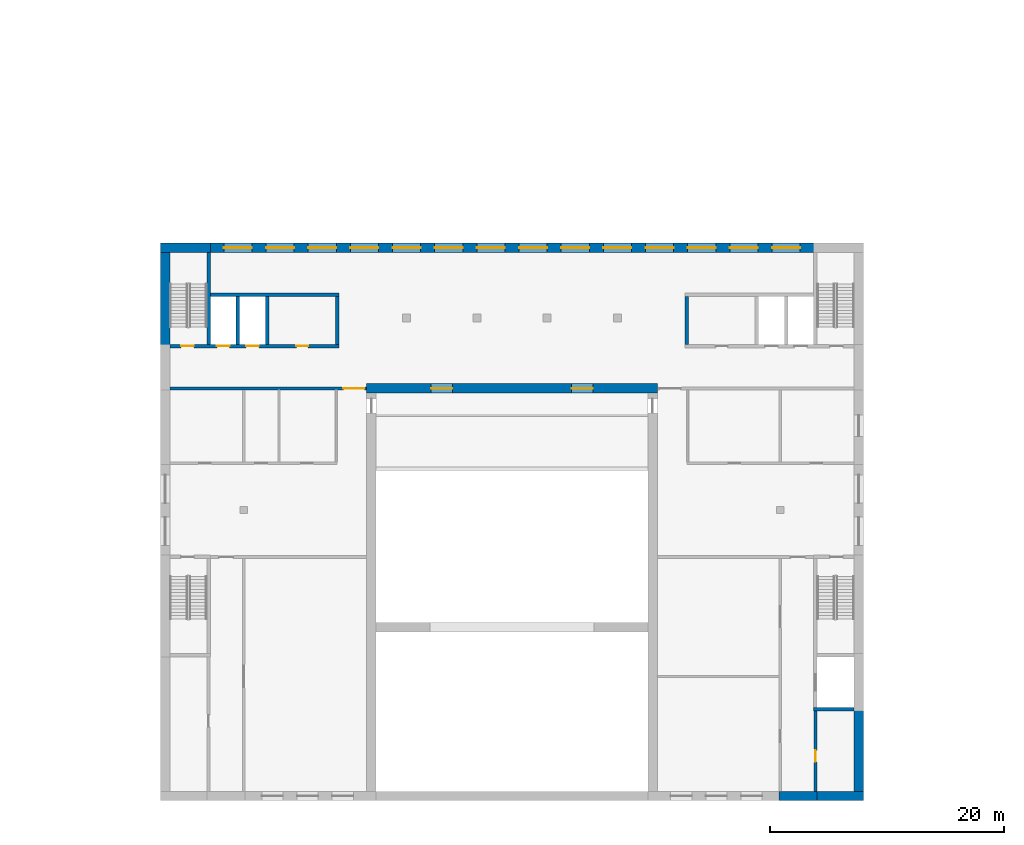
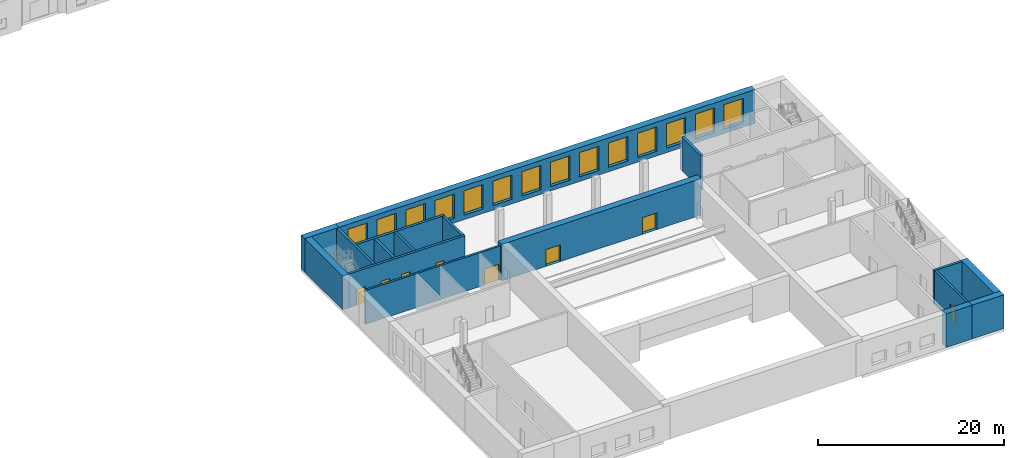
# One storey, part 5 of 27: 17 walls, 14 windows, 8 doors, 22 openings.
"""IFC4 building model written with IfcOpenShell, lengths in metres."""

import ifcopenshell
import ifcopenshell.guid

model = None  # the IFC model being written
_history = None  # IfcOwnerHistory: only IFC2X3 demands one
_inside = {}  # id of a spatial element -> (the spatial element, [elements in it])
_under = {}  # id of a project, library or spatial element -> (it, [spatial elements below it])
_declared = {}  # id of a project -> (the project, [libraries it declares])
_typed = {}  # id of a type object -> (the type object, [elements of that type])
_made_of = {}  # id of a material, layer set ... -> (it, [elements and type objects made of it])


def new_model(schema):
    """Start an empty IFC model of exactly this schema.

    Asked for "IFC4X3", IfcOpenShell would pick the latest addendum, in which some entities
    have other attributes; the version numbers below select the first issue.
    IFC2X3 requires an IfcOwnerHistory on every rooted entity: one is made here for all.
    """
    global model, _history
    if schema == "IFC4X3":
        model = ifcopenshell.file(schema_version=(4, 3, 0, 0))
    else:
        model = ifcopenshell.file(schema=schema)
    _inside.clear()
    _under.clear()
    _declared.clear()
    _typed.clear()
    _made_of.clear()
    _history = None
    if model.schema == "IFC2X3":
        org = make("IfcOrganization", Name="unknown")
        user = make(
            "IfcPersonAndOrganization",
            ThePerson=make("IfcPerson", FamilyName="unknown"),
            TheOrganization=org,
        )
        app = make(
            "IfcApplication",
            ApplicationDeveloper=org,
            Version="unknown",
            ApplicationFullName="unknown",
            ApplicationIdentifier="unknown",
        )
        _history = make(
            "IfcOwnerHistory",
            OwningUser=user,
            OwningApplication=app,
            ChangeAction="ADDED",
            CreationDate=0,
        )
    return model


def make(cls, **values):
    """One entity of the class cls with the attributes given. An attribute that is None is left unset."""
    return model.create_entity(
        cls, **{name: value for name, value in values.items() if value is not None}
    )


def rooted(cls, **values):
    """An entity with a GlobalId (a new one), such as an element, a storey or a relation."""
    return make(cls, GlobalId=ifcopenshell.guid.new(), OwnerHistory=_history, **values)


def si_unit(unit_type, name, prefix=None):
    """IfcSIUnit, for example si_unit("LENGTHUNIT", "METRE", prefix="MILLI")."""
    return make("IfcSIUnit", UnitType=unit_type, Prefix=prefix, Name=name)


def assignment(units):
    """IfcUnitAssignment: the units of a project."""
    return None if units is None else make("IfcUnitAssignment", Units=units)


def point(xyz):
    """IfcCartesianPoint."""
    return None if xyz is None else make("IfcCartesianPoint", Coordinates=xyz)


def direction(xyz):
    """IfcDirection."""
    return None if xyz is None else make("IfcDirection", DirectionRatios=xyz)


def frame(location, z_axis=None, x_axis=None):
    """IfcAxis2Placement3D, a coordinate frame: its origin and axes. An axis left out is left unset."""
    return make(
        "IfcAxis2Placement3D",
        Location=point(location),
        Axis=direction(z_axis),
        RefDirection=direction(x_axis),
    )


def frame_2d(location, x_axis=None):
    """IfcAxis2Placement2D, a coordinate frame in the plane: its origin and x axis."""
    return make(
        "IfcAxis2Placement2D", Location=point(location), RefDirection=direction(x_axis)
    )


def origin():
    """The frame at (0, 0, 0) with its axes left unset."""
    return frame((0.0, 0.0, 0.0))


def place(relative_to, where):
    """IfcLocalPlacement: puts the frame where relative to a parent placement (None: the world)."""
    return make(
        "IfcLocalPlacement", PlacementRelTo=relative_to, RelativePlacement=where
    )


def context(
    kind, dimensions, precision=None, world=None, true_north=None, identifier=None
):
    """IfcGeometricRepresentationContext, for example the 3D "Model" context."""
    return make(
        "IfcGeometricRepresentationContext",
        ContextIdentifier=identifier,
        ContextType=kind,
        CoordinateSpaceDimension=dimensions,
        Precision=precision,
        WorldCoordinateSystem=world,
        TrueNorth=true_north,
    )


def subcontext(parent, identifier, kind, view, scale=None):
    """IfcGeometricRepresentationSubContext, for example "Body" below "Model"."""
    return make(
        "IfcGeometricRepresentationSubContext",
        ContextIdentifier=identifier,
        ContextType=kind,
        ParentContext=parent,
        TargetScale=scale,
        TargetView=view,
    )


def project(units=None, contexts=None):
    """IfcProject with its units and contexts."""
    return rooted(
        "IfcProject",
        Name="project",
        RepresentationContexts=contexts,
        UnitsInContext=assignment(units),
    )


def spatial(cls, under=None, at=None, **own):
    """A site, building, storey or space (cls), placed at a placement, below another one or the project."""
    s = rooted(cls, ObjectPlacement=at, **own)
    if under is not None:
        _under.setdefault(under.id(), (under, []))[1].append(s)
    return s


def profile(cls, at=None, kind="AREA", **sizes):
    """A parametric profile (cls). Its sizes go by their IFC names, for example OverallWidth=200.0."""
    return make(cls, ProfileType=kind, Position=at, **sizes)


def rectangle(**sizes):
    """IfcRectangleProfileDef."""
    return profile("IfcRectangleProfileDef", **sizes)


def extrude(swept, where, along, depth):
    """IfcExtrudedAreaSolid: the profile swept, set in the frame where, extruded along a direction by depth."""
    return make(
        "IfcExtrudedAreaSolid",
        SweptArea=swept,
        Position=where,
        ExtrudedDirection=direction(along),
        Depth=depth,
    )


def shape(context_of_items, identifier, shape_type, items):
    """IfcShapeRepresentation: the items that make up one representation, for example the "Body"."""
    return make(
        "IfcShapeRepresentation",
        ContextOfItems=context_of_items,
        RepresentationIdentifier=identifier,
        RepresentationType=shape_type,
        Items=items,
    )


def material(Name=None, Category=None):
    """IfcMaterial."""
    return make("IfcMaterial", Name=Name, Category=Category)


def layer(
    of_material, thickness, ventilated=None, Name=None, Category=None, Priority=None
):
    """IfcMaterialLayer: one layer of a wall or slab, of a material (None: an air gap)."""
    return make(
        "IfcMaterialLayer",
        Material=of_material,
        LayerThickness=thickness,
        IsVentilated=ventilated,
        Name=Name,
        Category=Category,
        Priority=Priority,
    )


def layer_set(layers, Name=None):
    """IfcMaterialLayerSet."""
    return make("IfcMaterialLayerSet", MaterialLayers=layers, LayerSetName=Name)


def made_of(thing, what):
    """Note that an element or type object is made of a material, layer set ...; save() writes the relation."""
    if what is not None:
        _made_of.setdefault(what.id(), (what, []))[1].append(thing)
    return thing


def type_object(cls, material=None, **own):
    """A type object (cls), such as IfcWallType, which elements share."""
    return made_of(rooted(cls, **own), material)


def element(
    cls,
    number,
    at=None,
    inside=None,
    cuts=None,
    type_object=None,
    material=None,
    context=None,
    identifier="Body",
    shape_type=None,
    held_by="IfcProductDefinitionShape",
    body=None,
    shapes=None,
    **own,
):
    """One element of the class cls, such as IfcWall. Its Tag is "e" and its number.

    at: its placement. inside: the storey or other place that contains it. cuts: it is an
    opening in that element (IfcRelVoidsElement). A single representation is given by context,
    identifier, shape_type and body (its items); several are given by shapes. held_by: the class
    of the entity that holds the representations. save() writes the other relations.
    """
    e = rooted(cls, Tag="e%d" % number, ObjectPlacement=at, **own)
    if body is not None:
        shapes = [shape(context, identifier, shape_type, body)]
    if shapes is not None:
        e.Representation = make(held_by, Representations=shapes)
    if inside is not None:
        _inside.setdefault(inside.id(), (inside, []))[1].append(e)
    if cuts is not None:
        rooted(
            "IfcRelVoidsElement", RelatingBuildingElement=cuts, RelatedOpeningElement=e
        )
    if type_object is not None:
        _typed.setdefault(type_object.id(), (type_object, []))[1].append(e)
    return made_of(e, material)


def fill(opening, filler):
    """IfcRelFillsElement: the door or window that sits in an opening."""
    return rooted(
        "IfcRelFillsElement",
        RelatingOpeningElement=opening,
        RelatedBuildingElement=filler,
    )


def aggregate(whole, parts):
    """IfcRelAggregates: a whole, such as a stair, and the parts it consists of."""
    return rooted("IfcRelAggregates", RelatingObject=whole, RelatedObjects=parts)


def save(model, path):
    """Write the relations noted so far, then the file.

    IfcRelAggregates (storeys below a building ...), IfcRelContainedInSpatialStructure (elements
    in a storey), IfcRelDefinesByType, IfcRelAssociatesMaterial and IfcRelDeclares: one each for
    every whole, place, type object, material and project.
    """
    for whole, parts in _under.values():
        aggregate(whole, parts)
    for where, things in _inside.values():
        rooted(
            "IfcRelContainedInSpatialStructure",
            RelatedElements=things,
            RelatingStructure=where,
        )
    for kind, things in _typed.values():
        rooted("IfcRelDefinesByType", RelatedObjects=things, RelatingType=kind)
    for what, things in _made_of.values():
        rooted("IfcRelAssociatesMaterial", RelatedObjects=things, RelatingMaterial=what)
    for by, libraries in _declared.values():
        rooted("IfcRelDeclares", RelatingContext=by, RelatedDefinitions=libraries)
    model.write(path)


model = new_model("IFC4")

# Units and contexts
model_context = context("Model", 3, precision=1e-05, world=origin(), true_north=direction((0.0, 1.0)))
body_context = subcontext(model_context, "Body", "Model", "MODEL_VIEW")
ifc_project = project(units=[si_unit("LENGTHUNIT", "METRE"), si_unit("AREAUNIT", "SQUARE_METRE"), si_unit("VOLUMEUNIT", "CUBIC_METRE"), si_unit("PLANEANGLEUNIT", "RADIAN"), si_unit("MASSUNIT", "GRAM", prefix="KILO")], contexts=[model_context])

# Site, building, storey
site_placement = place(None, origin())
site = spatial("IfcSite", under=ifc_project, at=site_placement, CompositionType="ELEMENT")
building_placement = place(site_placement, origin())
building = spatial("IfcBuilding", under=site, at=building_placement, Name="Kiln Ring Residences", CompositionType="ELEMENT")
storey_placement = place(building_placement, frame((0.0, 0.0, 6.5)))
storey = spatial("IfcBuildingStorey", under=building, at=storey_placement, Name="L01", CompositionType="ELEMENT", Elevation=6.5)

# Wall, openings, doors
ifc_material_1 = material(Name="Concrete C40/50", Category="concrete")
ifc_layer_1 = layer(ifc_material_1, 0.800048828125)
ifc_layer_set_1 = layer_set([ifc_layer_1], Name="Hall Board-marked concrete C40/50 hall wall 800 internal")
wall_type_1 = type_object("IfcWallType", Name="Hall Board-marked concrete C40/50 hall wall 800 internal", PredefinedType="SOLIDWALL", material=ifc_layer_set_1)
wall_1_placement = place(storey_placement, frame((-12.39990234375, -124.800048828125, 0.0), z_axis=(0.0, 0.0, 1.0), x_axis=(1.0, 0.0, 0.0)))
wall_1 = element("IfcWall", 1, at=wall_1_placement, inside=storey, type_object=wall_type_1, Name="Hall wall L01 20", PredefinedType="SOLIDWALL", context=body_context, shape_type="SweptSolid", body=[
    extrude(rectangle(XDim=24.7998046875, YDim=0.800048828125, at=frame_2d((12.39990234375, 0.0))), origin(), (0.0, 0.0, 1.0), 4.800048828125),
])
opening_1_placement = place(wall_1_placement, frame((5.5, 0.0, 0.0)))
opening_1 = element("IfcOpeningElement", 2, at=opening_1_placement, cuts=wall_1, Name="Opening L01-12", PredefinedType="OPENING", context=body_context, shape_type="SweptSolid", body=[
    extrude(rectangle(XDim=1.800048828125, YDim=2.199951171875, at=frame_2d((0.89990234375, 1.10009765625))), frame((0.0, 0.409912109375, 0.0), z_axis=(0.0, -1.0, 0.0), x_axis=(1.0, 0.0, 0.0)), (0.0, 0.0, 1.0), 0.820068359375),
])
opening_2_placement = place(wall_1_placement, frame((17.5, 0.0, 0.0)))
opening_2 = element("IfcOpeningElement", 3, at=opening_2_placement, cuts=wall_1, Name="Opening L01-13", PredefinedType="OPENING", context=body_context, shape_type="SweptSolid", body=[
    extrude(rectangle(XDim=1.800048828125, YDim=2.199951171875, at=frame_2d((0.89990234375, 1.10009765625))), frame((0.0, 0.409912109375, 0.0), z_axis=(0.0, -1.0, 0.0), x_axis=(1.0, 0.0, 0.0)), (0.0, 0.0, 1.0), 0.820068359375),
])
ifc_material_2 = material(Name="Steel door leaf", Category="steel")
door_type_1 = type_object("IfcDoorType", Name="Hall Auditorium double door 1800 x 2200", OperationType="DOUBLE_DOOR_SINGLE_SWING", PredefinedType="DOOR", material=ifc_material_2)
door_1_placement = place(opening_1_placement, origin())
door_1 = element("IfcDoor", 4, at=door_1_placement, inside=storey, type_object=door_type_1, Name="Hall door L01-12", OperationType="DOUBLE_DOOR_SINGLE_SWING", OverallHeight=2.199951171875, OverallWidth=1.800048828125, PredefinedType="DOOR", context=body_context, shape_type="SweptSolid", body=[
    extrude(rectangle(XDim=1.800048828125, YDim=2.199951171875, at=frame_2d((0.89990234375, 1.10009765625))), frame((0.0, 0.02490234375, 0.0), z_axis=(0.0, -1.0, 0.0), x_axis=(1.0, 0.0, 0.0)), (0.0, 0.0, 1.0), 0.050048828125),
])
fill(opening_1, door_1)
door_2_placement = place(opening_2_placement, origin())
door_2 = element("IfcDoor", 5, at=door_2_placement, inside=storey, type_object=door_type_1, Name="Hall door L01-13", OperationType="DOUBLE_DOOR_SINGLE_SWING", OverallHeight=2.199951171875, OverallWidth=1.800048828125, PredefinedType="DOOR", context=body_context, shape_type="SweptSolid", body=[
    extrude(rectangle(XDim=1.800048828125, YDim=2.199951171875, at=frame_2d((0.89990234375, 1.10009765625))), frame((0.0, 0.02490234375, 0.0), z_axis=(0.0, -1.0, 0.0), x_axis=(1.0, 0.0, 0.0)), (0.0, 0.0, 1.0), 0.050048828125),
])
fill(opening_2, door_2)

# Walls
ifc_material_3 = material(Name="Concrete C40/50", Category="concrete")
ifc_layer_2 = layer(ifc_material_3, 0.800048828125)
ifc_layer_set_2 = layer_set([ifc_layer_2], Name="Hall Exposed brick-faced reinforced concrete C40/50 wall 800")
wall_type_2 = type_object("IfcWallType", Name="Hall Exposed brick-faced reinforced concrete C40/50 wall 800", PredefinedType="SOLIDWALL", material=ifc_layer_set_2)
wall_2_placement = place(storey_placement, frame((22.775146484375, -159.60009765625, 0.0), z_axis=(0.0, 0.0, 1.0), x_axis=(1.0, 0.0, 0.0)))
element("IfcWall", 6, at=wall_2_placement, inside=storey, type_object=wall_type_2, Name="Hall wall L01 6", PredefinedType="SOLIDWALL", context=body_context, shape_type="SweptSolid", body=[
    extrude(rectangle(XDim=3.249755859375, YDim=0.800048828125, at=frame_2d((1.625, 0.0))), origin(), (0.0, 0.0, 1.0), 4.449951171875),
])
wall_3_placement = place(storey_placement, frame((25.775146484375, -159.60009765625, 0.0), z_axis=(0.0, 0.0, 1.0), x_axis=(1.0, 0.0, 0.0)))
element("IfcWall", 7, at=wall_3_placement, inside=storey, type_object=wall_type_2, Name="Hall wall L01 7", PredefinedType="SOLIDWALL", context=body_context, shape_type="SweptSolid", body=[
    extrude(rectangle(XDim=4.224853515625, YDim=0.800048828125, at=frame_2d((2.1123046875, 0.0))), origin(), (0.0, 0.0, 1.0), 4.449951171875),
])
wall_4_placement = place(storey_placement, frame((-30.0, -112.800048828125, 0.0), z_axis=(0.0, 0.0, 1.0), x_axis=(1.0, 0.0, 0.0)))
element("IfcWall", 8, at=wall_4_placement, inside=storey, type_object=wall_type_2, Name="Hall wall L01 26", PredefinedType="SOLIDWALL", context=body_context, shape_type="SweptSolid", body=[
    extrude(rectangle(XDim=4.25, YDim=0.800048828125, at=frame_2d((2.125, 0.0))), origin(), (0.0, 0.0, 1.0), 4.449951171875),
])

# Wall, openings, windows
wall_5_placement = place(storey_placement, frame((-26.0498046875, -112.800048828125, 0.0), z_axis=(0.0, 0.0, 1.0), x_axis=(1.0, 0.0, 0.0)))
wall_5 = element("IfcWall", 9, at=wall_5_placement, inside=storey, type_object=wall_type_2, Name="Hall wall L01 27", PredefinedType="SOLIDWALL", context=body_context, shape_type="SweptSolid", body=[
    extrude(rectangle(XDim=52.099609375, YDim=0.800048828125, at=frame_2d((26.0498046875, 0.0))), origin(), (0.0, 0.0, 1.0), 4.449951171875),
])
opening_3_placement = place(wall_5_placement, frame((1.449951171875, 0.0, 0.60009765625)))
opening_3 = element("IfcOpeningElement", 10, at=opening_3_placement, cuts=wall_5, Name="Opening WL01-01", PredefinedType="OPENING", context=body_context, shape_type="SweptSolid", body=[
    extrude(rectangle(XDim=2.39990234375, YDim=3.199951171875, at=frame_2d((1.199951171875, 1.60009765625))), frame((0.0, 0.409912109375, 0.0), z_axis=(0.0, -1.0, 0.0), x_axis=(1.0, 0.0, 0.0)), (0.0, 0.0, 1.0), 0.820068359375),
])
opening_4_placement = place(wall_5_placement, frame((5.0498046875, 0.0, 0.60009765625)))
opening_4 = element("IfcOpeningElement", 11, at=opening_4_placement, cuts=wall_5, Name="Opening WL01-02", PredefinedType="OPENING", context=body_context, shape_type="SweptSolid", body=[
    extrude(rectangle(XDim=2.39990234375, YDim=3.199951171875, at=frame_2d((1.199951171875, 1.60009765625))), frame((0.0, 0.409912109375, 0.0), z_axis=(0.0, -1.0, 0.0), x_axis=(1.0, 0.0, 0.0)), (0.0, 0.0, 1.0), 0.820068359375),
])
opening_5_placement = place(wall_5_placement, frame((8.64990234375, 0.0, 0.60009765625)))
opening_5 = element("IfcOpeningElement", 12, at=opening_5_placement, cuts=wall_5, Name="Opening WL01-03", PredefinedType="OPENING", context=body_context, shape_type="SweptSolid", body=[
    extrude(rectangle(XDim=2.39990234375, YDim=3.199951171875, at=frame_2d((1.199951171875, 1.60009765625))), frame((0.0, 0.409912109375, 0.0), z_axis=(0.0, -1.0, 0.0), x_axis=(1.0, 0.0, 0.0)), (0.0, 0.0, 1.0), 0.820068359375),
])
opening_6_placement = place(wall_5_placement, frame((12.25, 0.0, 0.60009765625)))
opening_6 = element("IfcOpeningElement", 13, at=opening_6_placement, cuts=wall_5, Name="Opening WL01-04", PredefinedType="OPENING", context=body_context, shape_type="SweptSolid", body=[
    extrude(rectangle(XDim=2.39990234375, YDim=3.199951171875, at=frame_2d((1.199951171875, 1.60009765625))), frame((0.0, 0.409912109375, 0.0), z_axis=(0.0, -1.0, 0.0), x_axis=(1.0, 0.0, 0.0)), (0.0, 0.0, 1.0), 0.820068359375),
])
opening_7_placement = place(wall_5_placement, frame((15.849853515625, 0.0, 0.60009765625)))
opening_7 = element("IfcOpeningElement", 14, at=opening_7_placement, cuts=wall_5, Name="Opening WL01-05", PredefinedType="OPENING", context=body_context, shape_type="SweptSolid", body=[
    extrude(rectangle(XDim=2.39990234375, YDim=3.199951171875, at=frame_2d((1.199951171875, 1.60009765625))), frame((0.0, 0.409912109375, 0.0), z_axis=(0.0, -1.0, 0.0), x_axis=(1.0, 0.0, 0.0)), (0.0, 0.0, 1.0), 0.820068359375),
])
opening_8_placement = place(wall_5_placement, frame((19.449951171875, 0.0, 0.60009765625)))
opening_8 = element("IfcOpeningElement", 15, at=opening_8_placement, cuts=wall_5, Name="Opening WL01-06", PredefinedType="OPENING", context=body_context, shape_type="SweptSolid", body=[
    extrude(rectangle(XDim=2.39990234375, YDim=3.199951171875, at=frame_2d((1.199951171875, 1.60009765625))), frame((0.0, 0.409912109375, 0.0), z_axis=(0.0, -1.0, 0.0), x_axis=(1.0, 0.0, 0.0)), (0.0, 0.0, 1.0), 0.820068359375),
])
opening_9_placement = place(wall_5_placement, frame((23.0498046875, 0.0, 0.60009765625)))
opening_9 = element("IfcOpeningElement", 16, at=opening_9_placement, cuts=wall_5, Name="Opening WL01-07", PredefinedType="OPENING", context=body_context, shape_type="SweptSolid", body=[
    extrude(rectangle(XDim=2.39990234375, YDim=3.199951171875, at=frame_2d((1.199951171875, 1.60009765625))), frame((0.0, 0.409912109375, 0.0), z_axis=(0.0, -1.0, 0.0), x_axis=(1.0, 0.0, 0.0)), (0.0, 0.0, 1.0), 0.820068359375),
])
opening_10_placement = place(wall_5_placement, frame((26.64990234375, 0.0, 0.60009765625)))
opening_10 = element("IfcOpeningElement", 17, at=opening_10_placement, cuts=wall_5, Name="Opening WL01-08", PredefinedType="OPENING", context=body_context, shape_type="SweptSolid", body=[
    extrude(rectangle(XDim=2.39990234375, YDim=3.199951171875, at=frame_2d((1.199951171875, 1.60009765625))), frame((0.0, 0.409912109375, 0.0), z_axis=(0.0, -1.0, 0.0), x_axis=(1.0, 0.0, 0.0)), (0.0, 0.0, 1.0), 0.820068359375),
])
opening_11_placement = place(wall_5_placement, frame((30.25, 0.0, 0.60009765625)))
opening_11 = element("IfcOpeningElement", 18, at=opening_11_placement, cuts=wall_5, Name="Opening WL01-09", PredefinedType="OPENING", context=body_context, shape_type="SweptSolid", body=[
    extrude(rectangle(XDim=2.39990234375, YDim=3.199951171875, at=frame_2d((1.199951171875, 1.60009765625))), frame((0.0, 0.409912109375, 0.0), z_axis=(0.0, -1.0, 0.0), x_axis=(1.0, 0.0, 0.0)), (0.0, 0.0, 1.0), 0.820068359375),
])
opening_12_placement = place(wall_5_placement, frame((33.849853515625, 0.0, 0.60009765625)))
opening_12 = element("IfcOpeningElement", 19, at=opening_12_placement, cuts=wall_5, Name="Opening WL01-10", PredefinedType="OPENING", context=body_context, shape_type="SweptSolid", body=[
    extrude(rectangle(XDim=2.39990234375, YDim=3.199951171875, at=frame_2d((1.199951171875, 1.60009765625))), frame((0.0, 0.409912109375, 0.0), z_axis=(0.0, -1.0, 0.0), x_axis=(1.0, 0.0, 0.0)), (0.0, 0.0, 1.0), 0.820068359375),
])
opening_13_placement = place(wall_5_placement, frame((37.449951171875, 0.0, 0.60009765625)))
opening_13 = element("IfcOpeningElement", 20, at=opening_13_placement, cuts=wall_5, Name="Opening WL01-11", PredefinedType="OPENING", context=body_context, shape_type="SweptSolid", body=[
    extrude(rectangle(XDim=2.39990234375, YDim=3.199951171875, at=frame_2d((1.199951171875, 1.60009765625))), frame((0.0, 0.409912109375, 0.0), z_axis=(0.0, -1.0, 0.0), x_axis=(1.0, 0.0, 0.0)), (0.0, 0.0, 1.0), 0.820068359375),
])
opening_14_placement = place(wall_5_placement, frame((41.0498046875, 0.0, 0.60009765625)))
opening_14 = element("IfcOpeningElement", 21, at=opening_14_placement, cuts=wall_5, Name="Opening WL01-12", PredefinedType="OPENING", context=body_context, shape_type="SweptSolid", body=[
    extrude(rectangle(XDim=2.39990234375, YDim=3.199951171875, at=frame_2d((1.199951171875, 1.60009765625))), frame((0.0, 0.409912109375, 0.0), z_axis=(0.0, -1.0, 0.0), x_axis=(1.0, 0.0, 0.0)), (0.0, 0.0, 1.0), 0.820068359375),
])
opening_15_placement = place(wall_5_placement, frame((44.64990234375, 0.0, 0.60009765625)))
opening_15 = element("IfcOpeningElement", 22, at=opening_15_placement, cuts=wall_5, Name="Opening WL01-13", PredefinedType="OPENING", context=body_context, shape_type="SweptSolid", body=[
    extrude(rectangle(XDim=2.39990234375, YDim=3.199951171875, at=frame_2d((1.199951171875, 1.60009765625))), frame((0.0, 0.409912109375, 0.0), z_axis=(0.0, -1.0, 0.0), x_axis=(1.0, 0.0, 0.0)), (0.0, 0.0, 1.0), 0.820068359375),
])
opening_16_placement = place(wall_5_placement, frame((48.25, 0.0, 0.60009765625)))
opening_16 = element("IfcOpeningElement", 23, at=opening_16_placement, cuts=wall_5, Name="Opening WL01-14", PredefinedType="OPENING", context=body_context, shape_type="SweptSolid", body=[
    extrude(rectangle(XDim=2.39990234375, YDim=3.199951171875, at=frame_2d((1.199951171875, 1.60009765625))), frame((0.0, 0.409912109375, 0.0), z_axis=(0.0, -1.0, 0.0), x_axis=(1.0, 0.0, 0.0)), (0.0, 0.0, 1.0), 0.820068359375),
])
ifc_material_4 = material(Name="Glazing in aluminium frame", Category="aluminium")
window_type = type_object("IfcWindowType", Name="Hall foyer window 2400 x 3200", PartitioningType="SINGLE_PANEL", PredefinedType="WINDOW", material=ifc_material_4)
window_1_placement = place(opening_3_placement, origin())
window_1 = element("IfcWindow", 24, at=window_1_placement, inside=storey, type_object=window_type, Name="Hall window L01-01", OverallHeight=3.199951171875, OverallWidth=2.39990234375, PartitioningType="SINGLE_PANEL", PredefinedType="WINDOW", context=body_context, shape_type="SweptSolid", body=[
    extrude(rectangle(XDim=2.39990234375, YDim=3.199951171875, at=frame_2d((1.199951171875, 1.60009765625))), frame((0.0, 0.030029296875, 0.0), z_axis=(0.0, -1.0, 0.0), x_axis=(1.0, 0.0, 0.0)), (0.0, 0.0, 1.0), 0.06005859375),
])
fill(opening_3, window_1)
window_2_placement = place(opening_4_placement, origin())
window_2 = element("IfcWindow", 25, at=window_2_placement, inside=storey, type_object=window_type, Name="Hall window L01-02", OverallHeight=3.199951171875, OverallWidth=2.39990234375, PartitioningType="SINGLE_PANEL", PredefinedType="WINDOW", context=body_context, shape_type="SweptSolid", body=[
    extrude(rectangle(XDim=2.39990234375, YDim=3.199951171875, at=frame_2d((1.199951171875, 1.60009765625))), frame((0.0, 0.030029296875, 0.0), z_axis=(0.0, -1.0, 0.0), x_axis=(1.0, 0.0, 0.0)), (0.0, 0.0, 1.0), 0.06005859375),
])
fill(opening_4, window_2)
window_3_placement = place(opening_5_placement, origin())
window_3 = element("IfcWindow", 26, at=window_3_placement, inside=storey, type_object=window_type, Name="Hall window L01-03", OverallHeight=3.199951171875, OverallWidth=2.39990234375, PartitioningType="SINGLE_PANEL", PredefinedType="WINDOW", context=body_context, shape_type="SweptSolid", body=[
    extrude(rectangle(XDim=2.39990234375, YDim=3.199951171875, at=frame_2d((1.199951171875, 1.60009765625))), frame((0.0, 0.030029296875, 0.0), z_axis=(0.0, -1.0, 0.0), x_axis=(1.0, 0.0, 0.0)), (0.0, 0.0, 1.0), 0.06005859375),
])
fill(opening_5, window_3)
window_4_placement = place(opening_6_placement, origin())
window_4 = element("IfcWindow", 27, at=window_4_placement, inside=storey, type_object=window_type, Name="Hall window L01-04", OverallHeight=3.199951171875, OverallWidth=2.39990234375, PartitioningType="SINGLE_PANEL", PredefinedType="WINDOW", context=body_context, shape_type="SweptSolid", body=[
    extrude(rectangle(XDim=2.39990234375, YDim=3.199951171875, at=frame_2d((1.199951171875, 1.60009765625))), frame((0.0, 0.030029296875, 0.0), z_axis=(0.0, -1.0, 0.0), x_axis=(1.0, 0.0, 0.0)), (0.0, 0.0, 1.0), 0.06005859375),
])
fill(opening_6, window_4)
window_5_placement = place(opening_7_placement, origin())
window_5 = element("IfcWindow", 28, at=window_5_placement, inside=storey, type_object=window_type, Name="Hall window L01-05", OverallHeight=3.199951171875, OverallWidth=2.39990234375, PartitioningType="SINGLE_PANEL", PredefinedType="WINDOW", context=body_context, shape_type="SweptSolid", body=[
    extrude(rectangle(XDim=2.39990234375, YDim=3.199951171875, at=frame_2d((1.199951171875, 1.60009765625))), frame((0.0, 0.030029296875, 0.0), z_axis=(0.0, -1.0, 0.0), x_axis=(1.0, 0.0, 0.0)), (0.0, 0.0, 1.0), 0.06005859375),
])
fill(opening_7, window_5)
window_6_placement = place(opening_8_placement, origin())
window_6 = element("IfcWindow", 29, at=window_6_placement, inside=storey, type_object=window_type, Name="Hall window L01-06", OverallHeight=3.199951171875, OverallWidth=2.39990234375, PartitioningType="SINGLE_PANEL", PredefinedType="WINDOW", context=body_context, shape_type="SweptSolid", body=[
    extrude(rectangle(XDim=2.39990234375, YDim=3.199951171875, at=frame_2d((1.199951171875, 1.60009765625))), frame((0.0, 0.030029296875, 0.0), z_axis=(0.0, -1.0, 0.0), x_axis=(1.0, 0.0, 0.0)), (0.0, 0.0, 1.0), 0.06005859375),
])
fill(opening_8, window_6)
window_7_placement = place(opening_9_placement, origin())
window_7 = element("IfcWindow", 30, at=window_7_placement, inside=storey, type_object=window_type, Name="Hall window L01-07", OverallHeight=3.199951171875, OverallWidth=2.39990234375, PartitioningType="SINGLE_PANEL", PredefinedType="WINDOW", context=body_context, shape_type="SweptSolid", body=[
    extrude(rectangle(XDim=2.39990234375, YDim=3.199951171875, at=frame_2d((1.199951171875, 1.60009765625))), frame((0.0, 0.030029296875, 0.0), z_axis=(0.0, -1.0, 0.0), x_axis=(1.0, 0.0, 0.0)), (0.0, 0.0, 1.0), 0.06005859375),
])
fill(opening_9, window_7)
window_8_placement = place(opening_10_placement, origin())
window_8 = element("IfcWindow", 31, at=window_8_placement, inside=storey, type_object=window_type, Name="Hall window L01-08", OverallHeight=3.199951171875, OverallWidth=2.39990234375, PartitioningType="SINGLE_PANEL", PredefinedType="WINDOW", context=body_context, shape_type="SweptSolid", body=[
    extrude(rectangle(XDim=2.39990234375, YDim=3.199951171875, at=frame_2d((1.199951171875, 1.60009765625))), frame((0.0, 0.030029296875, 0.0), z_axis=(0.0, -1.0, 0.0), x_axis=(1.0, 0.0, 0.0)), (0.0, 0.0, 1.0), 0.06005859375),
])
fill(opening_10, window_8)
window_9_placement = place(opening_11_placement, origin())
window_9 = element("IfcWindow", 32, at=window_9_placement, inside=storey, type_object=window_type, Name="Hall window L01-09", OverallHeight=3.199951171875, OverallWidth=2.39990234375, PartitioningType="SINGLE_PANEL", PredefinedType="WINDOW", context=body_context, shape_type="SweptSolid", body=[
    extrude(rectangle(XDim=2.39990234375, YDim=3.199951171875, at=frame_2d((1.199951171875, 1.60009765625))), frame((0.0, 0.030029296875, 0.0), z_axis=(0.0, -1.0, 0.0), x_axis=(1.0, 0.0, 0.0)), (0.0, 0.0, 1.0), 0.06005859375),
])
fill(opening_11, window_9)
window_10_placement = place(opening_12_placement, origin())
window_10 = element("IfcWindow", 33, at=window_10_placement, inside=storey, type_object=window_type, Name="Hall window L01-10", OverallHeight=3.199951171875, OverallWidth=2.39990234375, PartitioningType="SINGLE_PANEL", PredefinedType="WINDOW", context=body_context, shape_type="SweptSolid", body=[
    extrude(rectangle(XDim=2.39990234375, YDim=3.199951171875, at=frame_2d((1.199951171875, 1.60009765625))), frame((0.0, 0.030029296875, 0.0), z_axis=(0.0, -1.0, 0.0), x_axis=(1.0, 0.0, 0.0)), (0.0, 0.0, 1.0), 0.06005859375),
])
fill(opening_12, window_10)
window_11_placement = place(opening_13_placement, origin())
window_11 = element("IfcWindow", 34, at=window_11_placement, inside=storey, type_object=window_type, Name="Hall window L01-11", OverallHeight=3.199951171875, OverallWidth=2.39990234375, PartitioningType="SINGLE_PANEL", PredefinedType="WINDOW", context=body_context, shape_type="SweptSolid", body=[
    extrude(rectangle(XDim=2.39990234375, YDim=3.199951171875, at=frame_2d((1.199951171875, 1.60009765625))), frame((0.0, 0.030029296875, 0.0), z_axis=(0.0, -1.0, 0.0), x_axis=(1.0, 0.0, 0.0)), (0.0, 0.0, 1.0), 0.06005859375),
])
fill(opening_13, window_11)
window_12_placement = place(opening_14_placement, origin())
window_12 = element("IfcWindow", 35, at=window_12_placement, inside=storey, type_object=window_type, Name="Hall window L01-12", OverallHeight=3.199951171875, OverallWidth=2.39990234375, PartitioningType="SINGLE_PANEL", PredefinedType="WINDOW", context=body_context, shape_type="SweptSolid", body=[
    extrude(rectangle(XDim=2.39990234375, YDim=3.199951171875, at=frame_2d((1.199951171875, 1.60009765625))), frame((0.0, 0.030029296875, 0.0), z_axis=(0.0, -1.0, 0.0), x_axis=(1.0, 0.0, 0.0)), (0.0, 0.0, 1.0), 0.06005859375),
])
fill(opening_14, window_12)
window_13_placement = place(opening_15_placement, origin())
window_13 = element("IfcWindow", 36, at=window_13_placement, inside=storey, type_object=window_type, Name="Hall window L01-13", OverallHeight=3.199951171875, OverallWidth=2.39990234375, PartitioningType="SINGLE_PANEL", PredefinedType="WINDOW", context=body_context, shape_type="SweptSolid", body=[
    extrude(rectangle(XDim=2.39990234375, YDim=3.199951171875, at=frame_2d((1.199951171875, 1.60009765625))), frame((0.0, 0.030029296875, 0.0), z_axis=(0.0, -1.0, 0.0), x_axis=(1.0, 0.0, 0.0)), (0.0, 0.0, 1.0), 0.06005859375),
])
fill(opening_15, window_13)
window_14_placement = place(opening_16_placement, origin())
window_14 = element("IfcWindow", 37, at=window_14_placement, inside=storey, type_object=window_type, Name="Hall window L01-14", OverallHeight=3.199951171875, OverallWidth=2.39990234375, PartitioningType="SINGLE_PANEL", PredefinedType="WINDOW", context=body_context, shape_type="SweptSolid", body=[
    extrude(rectangle(XDim=2.39990234375, YDim=3.199951171875, at=frame_2d((1.199951171875, 1.60009765625))), frame((0.0, 0.030029296875, 0.0), z_axis=(0.0, -1.0, 0.0), x_axis=(1.0, 0.0, 0.0)), (0.0, 0.0, 1.0), 0.06005859375),
])
fill(opening_16, window_14)

# Walls
wall_6_placement = place(storey_placement, frame((-29.60009765625, -121.349853515625, 0.0), z_axis=(0.0, 0.0, 1.0), x_axis=(0.0, 1.0, 0.0)))
element("IfcWall", 38, at=wall_6_placement, inside=storey, type_object=wall_type_2, Name="Hall wall L01 34", PredefinedType="SOLIDWALL", context=body_context, shape_type="SweptSolid", body=[
    extrude(rectangle(XDim=8.14990234375, YDim=0.800048828125, at=frame_2d((4.074951171875, 0.0))), origin(), (0.0, 0.0, 1.0), 4.449951171875),
])
wall_7_placement = place(storey_placement, frame((29.60009765625, -152.050048828125, 0.0), z_axis=(0.0, 0.0, 1.0), x_axis=(0.0, -1.0, 0.0)))
element("IfcWall", 39, at=wall_7_placement, inside=storey, type_object=wall_type_2, Name="Hall wall L01 56", PredefinedType="SOLIDWALL", context=body_context, shape_type="SweptSolid", body=[
    extrude(rectangle(XDim=7.14990234375, YDim=0.800048828125, at=frame_2d((3.574951171875, 0.0))), origin(), (0.0, 0.0, 1.0), 4.449951171875),
])
ifc_material_5 = material(Name="Concrete C40/50", Category="concrete")
ifc_layer_3 = layer(ifc_material_5, 0.300048828125)
ifc_layer_set_3 = layer_set([ifc_layer_3], Name="Hall Reinforced concrete C40/50 core wall 300")
wall_type_3 = type_object("IfcWallType", Name="Hall Reinforced concrete C40/50 core wall 300", PredefinedType="SOLIDWALL", material=ifc_layer_set_3)
wall_8_placement = place(storey_placement, frame((25.75, -152.199951171875, 0.0), z_axis=(0.0, 0.0, 1.0), x_axis=(1.0, 0.0, 0.0)))
element("IfcWall", 40, at=wall_8_placement, inside=storey, type_object=wall_type_3, Name="Hall wall L01 8", PredefinedType="SOLIDWALL", context=body_context, shape_type="SweptSolid", body=[
    extrude(rectangle(XDim=3.449951171875, YDim=0.300048828125, at=frame_2d((1.72509765625, 0.0))), origin(), (0.0, 0.0, 1.0), 4.449951171875),
])

# Wall, openings, doors
wall_9_placement = place(storey_placement, frame((-29.199951171875, -121.199951171875, 0.0), z_axis=(0.0, 0.0, 1.0), x_axis=(1.0, 0.0, 0.0)))
wall_9 = element("IfcWall", 41, at=wall_9_placement, inside=storey, type_object=wall_type_3, Name="Hall wall L01 22", PredefinedType="SOLIDWALL", context=body_context, shape_type="SweptSolid", body=[
    extrude(rectangle(XDim=14.449951171875, YDim=0.300048828125, at=frame_2d((7.22509765625, 0.0))), origin(), (0.0, 0.0, 1.0), 4.449951171875),
])
opening_17_placement = place(wall_9_placement, frame((4.0, 0.0, 0.0)))
opening_17 = element("IfcOpeningElement", 42, at=opening_17_placement, cuts=wall_9, Name="Opening L01-01", PredefinedType="OPENING", context=body_context, shape_type="SweptSolid", body=[
    extrude(rectangle(XDim=1.10009765625, YDim=2.10009765625, at=frame_2d((0.550048828125, 1.050048828125))), frame((0.0, 0.159912109375, 0.0), z_axis=(0.0, -1.0, 0.0), x_axis=(1.0, 0.0, 0.0)), (0.0, 0.0, 1.0), 0.320068359375),
])
opening_18_placement = place(wall_9_placement, frame((6.5, 0.0, 0.0)))
opening_18 = element("IfcOpeningElement", 43, at=opening_18_placement, cuts=wall_9, Name="Opening L01-02", PredefinedType="OPENING", context=body_context, shape_type="SweptSolid", body=[
    extrude(rectangle(XDim=1.10009765625, YDim=2.10009765625, at=frame_2d((0.550048828125, 1.050048828125))), frame((0.0, 0.159912109375, 0.0), z_axis=(0.0, -1.0, 0.0), x_axis=(1.0, 0.0, 0.0)), (0.0, 0.0, 1.0), 0.320068359375),
])
opening_19_placement = place(wall_9_placement, frame((0.949951171875, 0.0, 0.0)))
opening_19 = element("IfcOpeningElement", 44, at=opening_19_placement, cuts=wall_9, Name="Opening L01-06", PredefinedType="OPENING", context=body_context, shape_type="SweptSolid", body=[
    extrude(rectangle(XDim=1.10009765625, YDim=2.10009765625, at=frame_2d((0.550048828125, 1.050048828125))), frame((0.0, 0.159912109375, 0.0), z_axis=(0.0, -1.0, 0.0), x_axis=(1.0, 0.0, 0.0)), (0.0, 0.0, 1.0), 0.320068359375),
])
opening_20_placement = place(wall_9_placement, frame((10.800048828125, 0.0, 0.0)))
opening_20 = element("IfcOpeningElement", 45, at=opening_20_placement, cuts=wall_9, Name="Opening L01-10", PredefinedType="OPENING", context=body_context, shape_type="SweptSolid", body=[
    extrude(rectangle(XDim=1.0, YDim=2.10009765625, at=frame_2d((0.5, 1.050048828125))), frame((0.0, 0.159912109375, 0.0), z_axis=(0.0, -1.0, 0.0), x_axis=(1.0, 0.0, 0.0)), (0.0, 0.0, 1.0), 0.320068359375),
])
ifc_material_6 = material(Name="Steel door leaf", Category="steel")
door_type_2 = type_object("IfcDoorType", Name="Hall Lift landing door 1100 x 2100", OperationType="DOUBLE_DOOR_SLIDING", PredefinedType="DOOR", material=ifc_material_6)
door_3_placement = place(opening_17_placement, origin())
door_3 = element("IfcDoor", 46, at=door_3_placement, inside=storey, type_object=door_type_2, Name="Hall door L01-01", OperationType="DOUBLE_DOOR_SLIDING", OverallHeight=2.10009765625, OverallWidth=1.10009765625, PredefinedType="DOOR", context=body_context, shape_type="SweptSolid", body=[
    extrude(rectangle(XDim=1.10009765625, YDim=2.10009765625, at=frame_2d((0.550048828125, 1.050048828125))), frame((0.0, 0.02490234375, 0.0), z_axis=(0.0, -1.0, 0.0), x_axis=(1.0, 0.0, 0.0)), (0.0, 0.0, 1.0), 0.050048828125),
])
fill(opening_17, door_3)
door_4_placement = place(opening_18_placement, origin())
door_4 = element("IfcDoor", 47, at=door_4_placement, inside=storey, type_object=door_type_2, Name="Hall door L01-02", OperationType="DOUBLE_DOOR_SLIDING", OverallHeight=2.10009765625, OverallWidth=1.10009765625, PredefinedType="DOOR", context=body_context, shape_type="SweptSolid", body=[
    extrude(rectangle(XDim=1.10009765625, YDim=2.10009765625, at=frame_2d((0.550048828125, 1.050048828125))), frame((0.0, 0.02490234375, 0.0), z_axis=(0.0, -1.0, 0.0), x_axis=(1.0, 0.0, 0.0)), (0.0, 0.0, 1.0), 0.050048828125),
])
fill(opening_18, door_4)
ifc_material_7 = material(Name="Steel door leaf", Category="steel")
door_type_3 = type_object("IfcDoorType", Name="Hall Single door 1000 x 2100", OperationType="SINGLE_SWING_LEFT", PredefinedType="DOOR", material=ifc_material_7)
door_5_placement = place(opening_20_placement, origin())
door_5 = element("IfcDoor", 48, at=door_5_placement, inside=storey, type_object=door_type_3, Name="Hall door L01-10", OperationType="SINGLE_SWING_RIGHT", OverallHeight=2.10009765625, OverallWidth=1.0, PredefinedType="DOOR", context=body_context, shape_type="SweptSolid", body=[
    extrude(rectangle(XDim=1.0, YDim=2.10009765625, at=frame_2d((0.5, 1.050048828125))), frame((0.0, 0.02490234375, 0.0), z_axis=(0.0, -1.0, 0.0), x_axis=(1.0, 0.0, 0.0)), (0.0, 0.0, 1.0), 0.050048828125),
])
fill(opening_20, door_5)
ifc_material_8 = material(Name="Steel door leaf", Category="steel")
door_type_4 = type_object("IfcDoorType", Name="Hall Stair door 1100 x 2100", OperationType="SINGLE_SWING_LEFT", PredefinedType="DOOR", material=ifc_material_8)
door_6_placement = place(opening_19_placement, origin())
door_6 = element("IfcDoor", 49, at=door_6_placement, inside=storey, type_object=door_type_4, Name="Hall door L01-06", OperationType="SINGLE_SWING_RIGHT", OverallHeight=2.10009765625, OverallWidth=1.10009765625, PredefinedType="DOOR", context=body_context, shape_type="SweptSolid", body=[
    extrude(rectangle(XDim=1.10009765625, YDim=2.10009765625, at=frame_2d((0.550048828125, 1.050048828125))), frame((0.0, 0.02490234375, 0.0), z_axis=(0.0, -1.0, 0.0), x_axis=(1.0, 0.0, 0.0)), (0.0, 0.0, 1.0), 0.050048828125),
])
fill(opening_19, door_6)

# Walls
wall_10_placement = place(storey_placement, frame((-25.75, -116.800048828125, 0.0), z_axis=(0.0, 0.0, 1.0), x_axis=(1.0, 0.0, 0.0)))
element("IfcWall", 50, at=wall_10_placement, inside=storey, type_object=wall_type_3, Name="Hall wall L01 24", PredefinedType="SOLIDWALL", context=body_context, shape_type="SweptSolid", body=[
    extrude(rectangle(XDim=11.0, YDim=0.300048828125, at=frame_2d((5.5, 0.0))), origin(), (0.0, 0.0, 1.0), 4.449951171875),
])
wall_11_placement = place(storey_placement, frame((-25.89990234375, -121.050048828125, 0.0), z_axis=(0.0, 0.0, 1.0), x_axis=(0.0, 1.0, 0.0)))
element("IfcWall", 51, at=wall_11_placement, inside=storey, type_object=wall_type_3, Name="Hall wall L01 37", PredefinedType="SOLIDWALL", context=body_context, shape_type="SweptSolid", body=[
    extrude(rectangle(XDim=7.85009765625, YDim=0.300048828125, at=frame_2d((3.925048828125, 0.0))), origin(), (0.0, 0.0, 1.0), 4.449951171875),
])
for number, where, z_axis, x_axis, name in (
    (52, (-23.39990234375, -121.050048828125, 0.0), (0.0, 0.0, 1.0), (0.0, 1.0, 0.0), "Hall wall L01 38"),
    (53, (-20.89990234375, -121.050048828125, 0.0), (0.0, 0.0, 1.0), (0.0, 1.0, 0.0), "Hall wall L01 41"),
    (54, (-14.89990234375, -121.050048828125, 0.0), (0.0, 0.0, 1.0), (0.0, 1.0, 0.0), "Hall wall L01 44"),
    (55, (14.89990234375, -121.050048828125, 0.0), (0.0, 0.0, 1.0), (0.0, 1.0, 0.0), "Hall wall L01 47"),
):
    element("IfcWall", number, at=place(storey_placement, frame(where, z_axis=z_axis, x_axis=x_axis)), inside=storey, type_object=wall_type_3, Name=name, PredefinedType="SOLIDWALL", context=body_context, shape_type="SweptSolid", body=[
        extrude(rectangle(XDim=4.10009765625, YDim=0.300048828125, at=frame_2d((2.050048828125, 0.0))), origin(), (0.0, 0.0, 1.0), 4.449951171875),
    ])

# Wall, opening, door
ifc_material_9 = material(Name="Concrete C40/50", Category="concrete")
ifc_layer_4 = layer(ifc_material_9, 0.25)
ifc_layer_set_4 = layer_set([ifc_layer_4], Name="Hall Reinforced concrete C40/50 wall 250")
wall_type_4 = type_object("IfcWallType", Name="Hall Reinforced concrete C40/50 wall 250", PredefinedType="SOLIDWALL", material=ifc_layer_set_4)
wall_12_placement = place(storey_placement, frame((-29.199951171875, -124.800048828125, 0.0), z_axis=(0.0, 0.0, 1.0), x_axis=(1.0, 0.0, 0.0)))
wall_12 = element("IfcWall", 56, at=wall_12_placement, inside=storey, type_object=wall_type_4, Name="Hall wall L01 19", PredefinedType="SOLIDWALL", context=body_context, shape_type="SweptSolid", body=[
    extrude(rectangle(XDim=16.800048828125, YDim=0.25, at=frame_2d((8.39990234375, 0.0))), origin(), (0.0, 0.0, 1.0), 4.449951171875),
])
opening_21_placement = place(wall_12_placement, frame((14.800048828125, 0.0, 0.0)))
opening_21 = element("IfcOpeningElement", 57, at=opening_21_placement, cuts=wall_12, Name="Opening L01-16", PredefinedType="OPENING", context=body_context, shape_type="SweptSolid", body=[
    extrude(rectangle(XDim=1.800048828125, YDim=2.10009765625, at=frame_2d((0.89990234375, 1.050048828125))), frame((0.0, 0.135009765625, 0.0), z_axis=(0.0, -1.0, 0.0), x_axis=(1.0, 0.0, 0.0)), (0.0, 0.0, 1.0), 0.27001953125),
])
ifc_material_10 = material(Name="Steel door leaf", Category="steel")
door_type_5 = type_object("IfcDoorType", Name="Hall Double door 1800 x 2100", OperationType="DOUBLE_DOOR_SINGLE_SWING", PredefinedType="DOOR", material=ifc_material_10)
door_7_placement = place(opening_21_placement, origin())
door_7 = element("IfcDoor", 58, at=door_7_placement, inside=storey, type_object=door_type_5, Name="Hall door L01-16", OperationType="DOUBLE_DOOR_SINGLE_SWING", OverallHeight=2.10009765625, OverallWidth=1.800048828125, PredefinedType="DOOR", context=body_context, shape_type="SweptSolid", body=[
    extrude(rectangle(XDim=1.800048828125, YDim=2.10009765625, at=frame_2d((0.89990234375, 1.050048828125))), frame((0.0, 0.02490234375, 0.0), z_axis=(0.0, -1.0, 0.0), x_axis=(1.0, 0.0, 0.0)), (0.0, 0.0, 1.0), 0.050048828125),
])
fill(opening_21, door_7)

wall_13_placement = place(storey_placement, frame((25.89990234375, -159.199951171875, 0.0), z_axis=(0.0, 0.0, 1.0), x_axis=(0.0, 1.0, 0.0)))
wall_13 = element("IfcWall", 59, at=wall_13_placement, inside=storey, type_object=wall_type_4, Name="Hall wall L01 53", PredefinedType="SOLIDWALL", context=body_context, shape_type="SweptSolid", body=[
    extrude(rectangle(XDim=6.849853515625, YDim=0.25, at=frame_2d((3.4248046875, 0.0))), origin(), (0.0, 0.0, 1.0), 4.449951171875),
])
opening_22_placement = place(wall_13_placement, frame((2.5, 0.0, 0.0)))
opening_22 = element("IfcOpeningElement", 60, at=opening_22_placement, cuts=wall_13, Name="Opening L01-27", PredefinedType="OPENING", context=body_context, shape_type="SweptSolid", body=[
    extrude(rectangle(XDim=1.0, YDim=2.10009765625, at=frame_2d((0.5, 1.050048828125))), frame((0.0, 0.135009765625, 0.0), z_axis=(0.0, -1.0, 0.0), x_axis=(1.0, 0.0, 0.0)), (0.0, 0.0, 1.0), 0.27001953125),
])
door_8_placement = place(opening_22_placement, origin())
door_8 = element("IfcDoor", 61, at=door_8_placement, inside=storey, type_object=door_type_3, Name="Hall door L01-27", OperationType="SINGLE_SWING_LEFT", OverallHeight=2.10009765625, OverallWidth=1.0, PredefinedType="DOOR", context=body_context, shape_type="SweptSolid", body=[
    extrude(rectangle(XDim=1.0, YDim=2.10009765625, at=frame_2d((0.5, 1.050048828125))), frame((0.0, 0.02490234375, 0.0), z_axis=(0.0, -1.0, 0.0), x_axis=(1.0, 0.0, 0.0)), (0.0, 0.0, 1.0), 0.050048828125),
])
fill(opening_22, door_8)

save(model, "model.ifc")
